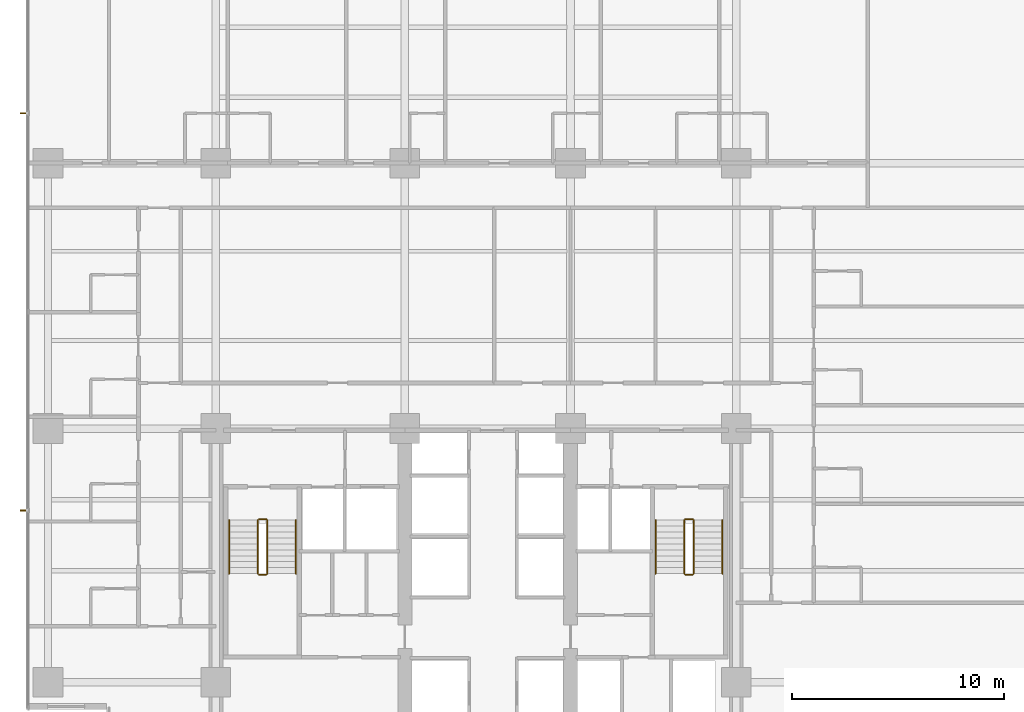
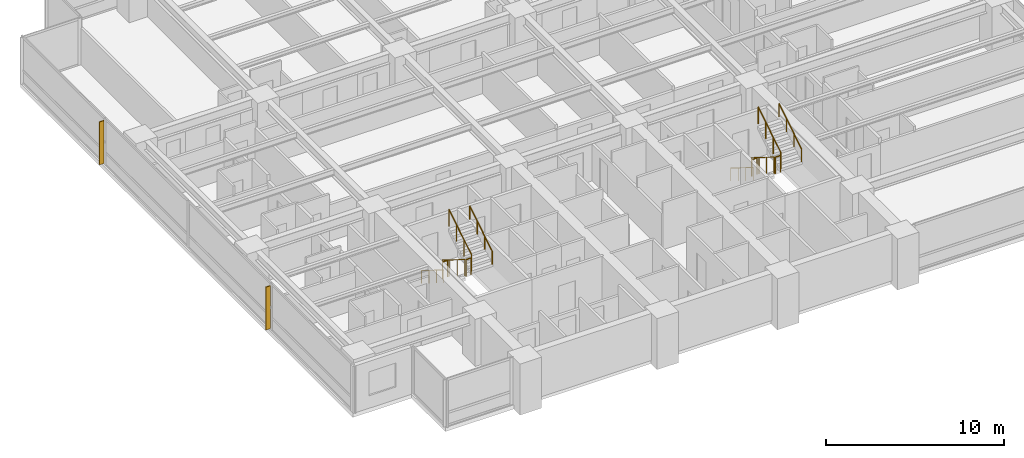
# One storey, part 15 of 17: 12 railings, 2 shading devices.
"""IFC4 building model written with IfcOpenShell, lengths in metres."""

from ifc_helpers import new_model, si_unit, direction, frame, origin, origin_2d, place, context, subcontext, project, spatial, polyline, circle, outline, extrude, material, layer, layer_set, type_object, element, save


model = new_model("IFC4")

# Units and contexts
model_context = context("Model", 3, precision=1e-05, world=origin(), true_north=direction((0.0, 1.0)))
body_context = subcontext(model_context, "Body", "Model", "MODEL_VIEW")
ifc_project = project(units=[si_unit("LENGTHUNIT", "METRE"), si_unit("AREAUNIT", "SQUARE_METRE"), si_unit("VOLUMEUNIT", "CUBIC_METRE"), si_unit("PLANEANGLEUNIT", "RADIAN"), si_unit("MASSUNIT", "GRAM", prefix="KILO")], contexts=[model_context])

# Site, building, storey
site_placement = place(None, origin())
site = spatial("IfcSite", under=ifc_project, at=site_placement, CompositionType="ELEMENT")
building_placement = place(site_placement, origin())
building = spatial("IfcBuilding", under=site, at=building_placement, Name="Qalmaran Belvedere Hotel", CompositionType="ELEMENT")
storey_placement = place(building_placement, frame((0.0, 0.0, 61.39990234375)))
storey = spatial("IfcBuildingStorey", under=building, at=storey_placement, Name="L15", CompositionType="ELEMENT", Elevation=61.39990234375)

# Shading devices
ifc_material_1 = material(Name="Anodised Bronze Aluminium", Category="aluminium")
ifc_layer = layer(ifc_material_1, 0.06494140625, Name="Anodised Bronze Aluminium")
ifc_layer_set = layer_set([ifc_layer], Name="Anodised Bronze Aluminium")
shading_device_type = type_object("IfcShadingDeviceType", Name="FIN-BRNZ-300", PredefinedType="USERDEFINED", material=ifc_layer_set)
shading_device_1_placement = place(storey_placement, frame((0.0, 0.0, 0.16015625)))
element("IfcShadingDevice", 1, at=shading_device_1_placement, inside=storey, type_object=shading_device_type, Name="L15 Bronze Fin 1", ObjectType="FIN", PredefinedType="USERDEFINED", context=body_context, shape_type="SweptSolid", body=[
    extrude(outline(polyline([(11.37744140625, 35.382568359375), (11.077392578125, 35.382568359375), (11.077392578125, 35.3173828125), (11.37744140625, 35.3173828125), (11.37744140625, 35.382568359375)])), origin(), (0.0, 0.0, 1.0), 2.93994140625),
])
shading_device_2_placement = place(storey_placement, frame((0.0, 0.0, 0.16015625)))
element("IfcShadingDevice", 2, at=shading_device_2_placement, inside=storey, type_object=shading_device_type, Name="L15 Bronze Fin 3", ObjectType="FIN", PredefinedType="USERDEFINED", context=body_context, shape_type="SweptSolid", body=[
    extrude(outline(polyline([(11.37744140625, 16.6826171875), (11.077392578125, 16.6826171875), (11.077392578125, 16.617431640625), (11.37744140625, 16.617431640625), (11.37744140625, 16.6826171875)])), origin(), (0.0, 0.0, 1.0), 2.93994140625),
])

# Railings
ifc_material_2 = material(Name="Stainless Steel 1.4401", Category="steel")
railing_type_1 = type_object("IfcRailingType", Name="RLG-STAIR-GUARD-1150", PredefinedType="GUARDRAIL", material=ifc_material_2)
railing_1_placement = place(storey_placement, frame((22.280029296875, 16.18994140625, 0.175048828125)))
element("IfcRailing", 3, at=railing_1_placement, inside=storey, type_object=railing_type_1, Name="L15 ST-1 stair guard 1", PredefinedType="GUARDRAIL", context=body_context, shape_type="SweptSolid", body=[
    extrude(circle(Radius=0.02392578125, at=origin_2d()), frame((0.0, 0.0, 1.1259765625), z_axis=(0.0, -0.848007534815, 0.529984170421), x_axis=(1.0, 0.0, 0.0)), (0.0, 0.0, 1.0), 2.9716796875),
    extrude(circle(Radius=0.02099609375, at=origin_2d()), origin(), (0.0, 0.0, 1.0), 1.101806640625),
    extrude(circle(Radius=0.02099609375, at=origin_2d()), frame((0.0, -0.840087890625, 0.52490234375)), (0.0, 0.0, 1.0), 1.101806640625),
    extrude(circle(Radius=0.02099609375, at=origin_2d()), frame((0.0, -1.679931640625, 1.050048828125)), (0.0, 0.0, 1.0), 1.101806640625),
    extrude(circle(Radius=0.02099609375, at=origin_2d()), frame((0.0, -2.52001953125, 1.574951171875)), (0.0, 0.0, 1.0), 1.101806640625),
])
railing_2_placement = place(storey_placement, frame((22.330078125, 13.6201171875, 1.75)))
element("IfcRailing", 4, at=railing_2_placement, inside=storey, type_object=railing_type_1, Name="L15 ST-1 stair guard 2", PredefinedType="GUARDRAIL", context=body_context, shape_type="SweptSolid", body=[
    extrude(circle(Radius=0.02392578125, at=origin_2d()), frame((0.0, 0.0, 1.1259765625), z_axis=(1.0, 0.0, 0.0), x_axis=(0.0, 1.0, 0.0)), (0.0, 0.0, 1.0), 0.33984375),
    extrude(circle(Radius=0.02099609375, at=origin_2d()), origin(), (0.0, 0.0, 1.0), 1.101806640625),
    extrude(circle(Radius=0.02099609375, at=origin_2d()), frame((0.33984375, 0.0, 0.0)), (0.0, 0.0, 1.0), 1.101806640625),
])
railing_3_placement = place(storey_placement, frame((22.719970703125, 13.669921875, 1.925048828125)))
element("IfcRailing", 5, at=railing_3_placement, inside=storey, type_object=railing_type_1, Name="L15 ST-1 stair guard 3", PredefinedType="GUARDRAIL", context=body_context, shape_type="SweptSolid", body=[
    extrude(circle(Radius=0.02392578125, at=origin_2d()), frame((0.0, 0.0, 1.1259765625), z_axis=(0.0, 0.848007534815, 0.529984170421), x_axis=(-1.0, 0.0, 0.0)), (0.0, 0.0, 1.0), 2.9716796875),
    extrude(circle(Radius=0.02099609375, at=origin_2d()), origin(), (0.0, 0.0, 1.0), 1.101806640625),
    extrude(circle(Radius=0.02099609375, at=origin_2d()), frame((0.0, 0.840087890625, 0.52490234375)), (0.0, 0.0, 1.0), 1.101806640625),
    extrude(circle(Radius=0.02099609375, at=origin_2d()), frame((0.0, 1.679931640625, 1.050048828125)), (0.0, 0.0, 1.0), 1.101806640625),
    extrude(circle(Radius=0.02099609375, at=origin_2d()), frame((0.0, 2.52001953125, 1.574951171875)), (0.0, 0.0, 1.0), 1.101806640625),
])
railing_4_placement = place(storey_placement, frame((22.330078125, 16.239990234375, 0.0)))
element("IfcRailing", 6, at=railing_4_placement, inside=storey, type_object=railing_type_1, Name="L15 ST-1 stair guard 4", PredefinedType="GUARDRAIL", context=body_context, shape_type="SweptSolid", body=[
    extrude(circle(Radius=0.02392578125, at=origin_2d()), frame((0.0, 0.0, 1.1259765625), z_axis=(1.0, 0.0, 0.0), x_axis=(0.0, 1.0, 0.0)), (0.0, 0.0, 1.0), 0.33984375),
    extrude(circle(Radius=0.02099609375, at=origin_2d()), origin(), (0.0, 0.0, 1.0), 1.101806640625),
    extrude(circle(Radius=0.02099609375, at=origin_2d()), frame((0.33984375, 0.0, 0.0)), (0.0, 0.0, 1.0), 1.101806640625),
])
railing_5_placement = place(storey_placement, frame((42.360107421875, 16.18994140625, 0.175048828125)))
element("IfcRailing", 7, at=railing_5_placement, inside=storey, type_object=railing_type_1, Name="L15 ST-2 stair guard 1", PredefinedType="GUARDRAIL", context=body_context, shape_type="SweptSolid", body=[
    extrude(circle(Radius=0.02392578125, at=origin_2d()), frame((0.0, 0.0, 1.1259765625), z_axis=(0.0, -0.848007534815, 0.529984170421), x_axis=(1.0, 0.0, 0.0)), (0.0, 0.0, 1.0), 2.9716796875),
    extrude(circle(Radius=0.02099609375, at=origin_2d()), origin(), (0.0, 0.0, 1.0), 1.101806640625),
    extrude(circle(Radius=0.02099609375, at=origin_2d()), frame((0.0, -0.840087890625, 0.52490234375)), (0.0, 0.0, 1.0), 1.101806640625),
    extrude(circle(Radius=0.02099609375, at=origin_2d()), frame((0.0, -1.679931640625, 1.050048828125)), (0.0, 0.0, 1.0), 1.101806640625),
    extrude(circle(Radius=0.02099609375, at=origin_2d()), frame((0.0, -2.52001953125, 1.574951171875)), (0.0, 0.0, 1.0), 1.101806640625),
])
railing_6_placement = place(storey_placement, frame((42.409912109375, 13.6201171875, 1.75)))
element("IfcRailing", 8, at=railing_6_placement, inside=storey, type_object=railing_type_1, Name="L15 ST-2 stair guard 2", PredefinedType="GUARDRAIL", context=body_context, shape_type="SweptSolid", body=[
    extrude(circle(Radius=0.02392578125, at=origin_2d()), frame((0.0, 0.0, 1.1259765625), z_axis=(1.0, 0.0, 0.0), x_axis=(0.0, 1.0, 0.0)), (0.0, 0.0, 1.0), 0.340087890625),
    extrude(circle(Radius=0.02099609375, at=origin_2d()), origin(), (0.0, 0.0, 1.0), 1.101806640625),
    extrude(circle(Radius=0.02099609375, at=origin_2d()), frame((0.340087890625, 0.0, 0.0)), (0.0, 0.0, 1.0), 1.101806640625),
])
railing_7_placement = place(storey_placement, frame((42.800048828125, 13.669921875, 1.925048828125)))
element("IfcRailing", 9, at=railing_7_placement, inside=storey, type_object=railing_type_1, Name="L15 ST-2 stair guard 3", PredefinedType="GUARDRAIL", context=body_context, shape_type="SweptSolid", body=[
    extrude(circle(Radius=0.02392578125, at=origin_2d()), frame((0.0, 0.0, 1.1259765625), z_axis=(0.0, 0.848007534815, 0.529984170421), x_axis=(-1.0, 0.0, 0.0)), (0.0, 0.0, 1.0), 2.9716796875),
    extrude(circle(Radius=0.02099609375, at=origin_2d()), origin(), (0.0, 0.0, 1.0), 1.101806640625),
    extrude(circle(Radius=0.02099609375, at=origin_2d()), frame((0.0, 0.840087890625, 0.52490234375)), (0.0, 0.0, 1.0), 1.101806640625),
    extrude(circle(Radius=0.02099609375, at=origin_2d()), frame((0.0, 1.679931640625, 1.050048828125)), (0.0, 0.0, 1.0), 1.101806640625),
    extrude(circle(Radius=0.02099609375, at=origin_2d()), frame((0.0, 2.52001953125, 1.574951171875)), (0.0, 0.0, 1.0), 1.101806640625),
])
railing_8_placement = place(storey_placement, frame((42.409912109375, 16.239990234375, 0.0)))
element("IfcRailing", 10, at=railing_8_placement, inside=storey, type_object=railing_type_1, Name="L15 ST-2 stair guard 4", PredefinedType="GUARDRAIL", context=body_context, shape_type="SweptSolid", body=[
    extrude(circle(Radius=0.02392578125, at=origin_2d()), frame((0.0, 0.0, 1.1259765625), z_axis=(1.0, 0.0, 0.0), x_axis=(0.0, 1.0, 0.0)), (0.0, 0.0, 1.0), 0.340087890625),
    extrude(circle(Radius=0.02099609375, at=origin_2d()), origin(), (0.0, 0.0, 1.0), 1.101806640625),
    extrude(circle(Radius=0.02099609375, at=origin_2d()), frame((0.340087890625, 0.0, 0.0)), (0.0, 0.0, 1.0), 1.101806640625),
])
railing_type_2 = type_object("IfcRailingType", Name="RLG-STAIR-HAND-910", PredefinedType="HANDRAIL", material=ifc_material_2)
railing_9_placement = place(storey_placement, frame((20.929931640625, 16.18994140625, 0.175048828125)))
element("IfcRailing", 11, at=railing_9_placement, inside=storey, type_object=railing_type_2, Name="L15 ST-1 stair handrail 1", PredefinedType="HANDRAIL", context=body_context, shape_type="SweptSolid", body=[
    extrude(circle(Radius=0.02392578125, at=origin_2d()), frame((0.0, 0.0, 0.8857421875), z_axis=(0.0, -0.848007534815, 0.529984170421), x_axis=(1.0, 0.0, 0.0)), (0.0, 0.0, 1.0), 2.9716796875),
    extrude(circle(Radius=0.02099609375, at=origin_2d()), origin(), (0.0, 0.0, 1.0), 0.86181640625),
    extrude(circle(Radius=0.02099609375, at=origin_2d()), frame((0.0, -0.840087890625, 0.52490234375)), (0.0, 0.0, 1.0), 0.86181640625),
    extrude(circle(Radius=0.02099609375, at=origin_2d()), frame((0.0, -1.679931640625, 1.050048828125)), (0.0, 0.0, 1.0), 0.86181640625),
    extrude(circle(Radius=0.02099609375, at=origin_2d()), frame((0.0, -2.52001953125, 1.574951171875)), (0.0, 0.0, 1.0), 0.86181640625),
])
railing_10_placement = place(storey_placement, frame((24.070068359375, 13.669921875, 1.925048828125)))
element("IfcRailing", 12, at=railing_10_placement, inside=storey, type_object=railing_type_2, Name="L15 ST-1 stair handrail 2", PredefinedType="HANDRAIL", context=body_context, shape_type="SweptSolid", body=[
    extrude(circle(Radius=0.02392578125, at=origin_2d()), frame((0.0, 0.0, 0.8857421875), z_axis=(0.0, 0.848007534815, 0.529984170421), x_axis=(-1.0, 0.0, 0.0)), (0.0, 0.0, 1.0), 2.9716796875),
    extrude(circle(Radius=0.02099609375, at=origin_2d()), origin(), (0.0, 0.0, 1.0), 0.86181640625),
    extrude(circle(Radius=0.02099609375, at=origin_2d()), frame((0.0, 0.840087890625, 0.52490234375)), (0.0, 0.0, 1.0), 0.86181640625),
    extrude(circle(Radius=0.02099609375, at=origin_2d()), frame((0.0, 1.679931640625, 1.050048828125)), (0.0, 0.0, 1.0), 0.86181640625),
    extrude(circle(Radius=0.02099609375, at=origin_2d()), frame((0.0, 2.52001953125, 1.574951171875)), (0.0, 0.0, 1.0), 0.86181640625),
])
railing_11_placement = place(storey_placement, frame((41.010009765625, 16.18994140625, 0.175048828125)))
element("IfcRailing", 13, at=railing_11_placement, inside=storey, type_object=railing_type_2, Name="L15 ST-2 stair handrail 1", PredefinedType="HANDRAIL", context=body_context, shape_type="SweptSolid", body=[
    extrude(circle(Radius=0.02392578125, at=origin_2d()), frame((0.0, 0.0, 0.8857421875), z_axis=(0.0, -0.848007534815, 0.529984170421), x_axis=(1.0, 0.0, 0.0)), (0.0, 0.0, 1.0), 2.9716796875),
    extrude(circle(Radius=0.02099609375, at=origin_2d()), origin(), (0.0, 0.0, 1.0), 0.86181640625),
    extrude(circle(Radius=0.02099609375, at=origin_2d()), frame((0.0, -0.840087890625, 0.52490234375)), (0.0, 0.0, 1.0), 0.86181640625),
    extrude(circle(Radius=0.02099609375, at=origin_2d()), frame((0.0, -1.679931640625, 1.050048828125)), (0.0, 0.0, 1.0), 0.86181640625),
    extrude(circle(Radius=0.02099609375, at=origin_2d()), frame((0.0, -2.52001953125, 1.574951171875)), (0.0, 0.0, 1.0), 0.86181640625),
])
railing_12_placement = place(storey_placement, frame((44.14990234375, 13.669921875, 1.925048828125)))
element("IfcRailing", 14, at=railing_12_placement, inside=storey, type_object=railing_type_2, Name="L15 ST-2 stair handrail 2", PredefinedType="HANDRAIL", context=body_context, shape_type="SweptSolid", body=[
    extrude(circle(Radius=0.02392578125, at=origin_2d()), frame((0.0, 0.0, 0.8857421875), z_axis=(0.0, 0.848007534815, 0.529984170421), x_axis=(-1.0, 0.0, 0.0)), (0.0, 0.0, 1.0), 2.9716796875),
    extrude(circle(Radius=0.02099609375, at=origin_2d()), origin(), (0.0, 0.0, 1.0), 0.86181640625),
    extrude(circle(Radius=0.02099609375, at=origin_2d()), frame((0.0, 0.840087890625, 0.52490234375)), (0.0, 0.0, 1.0), 0.86181640625),
    extrude(circle(Radius=0.02099609375, at=origin_2d()), frame((0.0, 1.679931640625, 1.050048828125)), (0.0, 0.0, 1.0), 0.86181640625),
    extrude(circle(Radius=0.02099609375, at=origin_2d()), frame((0.0, 2.52001953125, 1.574951171875)), (0.0, 0.0, 1.0), 0.86181640625),
])

save(model, "model.ifc")
